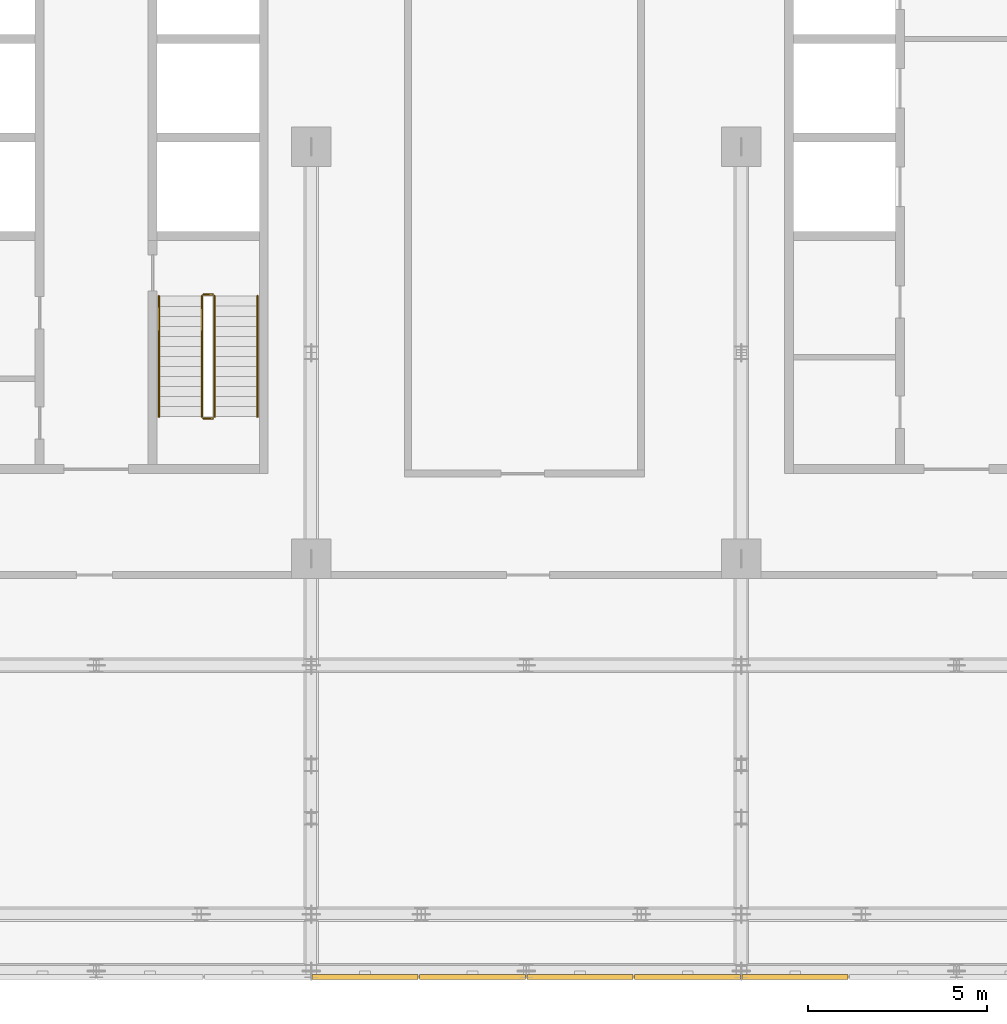
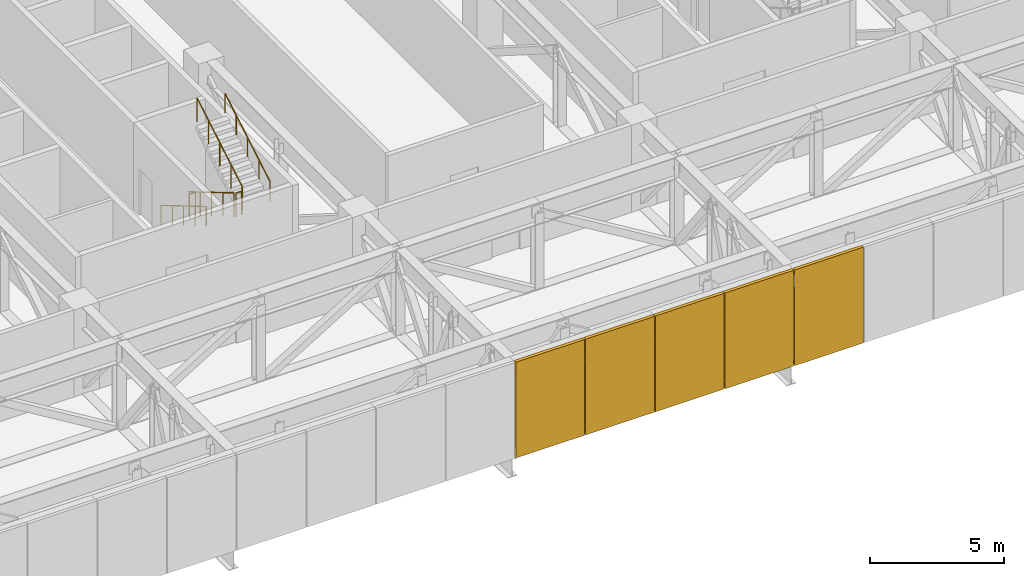
# One storey, part 24 of 28: 6 railings, 5 coverings.
"""IFC4 building model written with IfcOpenShell, lengths in metres."""

from ifc_helpers import new_model, si_unit, direction, frame, origin, origin_2d, place, context, subcontext, project, spatial, rectangle, circle, extrude, material, type_object, element, save


model = new_model("IFC4")

# Units and contexts
model_context = context("Model", 3, precision=1e-05, world=origin(), true_north=direction((0.0, 1.0)))
body_context = subcontext(model_context, "Body", "Model", "MODEL_VIEW")
ifc_project = project(units=[si_unit("LENGTHUNIT", "METRE"), si_unit("AREAUNIT", "SQUARE_METRE"), si_unit("VOLUMEUNIT", "CUBIC_METRE"), si_unit("PLANEANGLEUNIT", "RADIAN"), si_unit("MASSUNIT", "GRAM", prefix="KILO")], contexts=[model_context])

# Site, building, storey
site_placement = place(None, origin())
site = spatial("IfcSite", under=ifc_project, at=site_placement, CompositionType="ELEMENT")
building_placement = place(site_placement, origin())
building = spatial("IfcBuilding", under=site, at=building_placement, Name="Mahtab Terrace Research Tower", CompositionType="ELEMENT")
storey_placement = place(building_placement, frame((0.0, 0.0, 224.300048828125)))
storey = spatial("IfcBuildingStorey", under=building, at=storey_placement, Name="L54", CompositionType="ELEMENT", Elevation=224.300048828125)

# Coverings
ifc_material_1 = material(Name="Natural anodised aluminium", Category="aluminium")
covering_type = type_object("IfcCoveringType", Name="Plant storey louvre bay", PredefinedType="CLADDING", material=ifc_material_1)
for number, where, z_axis, x_axis, name in (
    (1, (7.5, -23.159912109375, -0.39990234375), (0.0, 0.0, 1.0), (1.0, 0.0, 0.0), "Louvre bay L54 69"),
    (2, (10.5, -23.159912109375, -0.39990234375), (0.0, 0.0, 1.0), (1.0, 0.0, 0.0), "Louvre bay L54 70"),
    (3, (13.5, -23.159912109375, -0.39990234375), (0.0, 0.0, 1.0), (1.0, 0.0, 0.0), "Louvre bay L54 71"),
    (4, (16.5, -23.159912109375, -0.39990234375), (0.0, 0.0, 1.0), (1.0, 0.0, 0.0), "Louvre bay L54 72"),
    (5, (19.5, -23.159912109375, -0.39990234375), (0.0, 0.0, 1.0), (1.0, 0.0, 0.0), "Louvre bay L54 73"),
):
    element("IfcCovering", number, at=place(storey_placement, frame(where, z_axis=z_axis, x_axis=x_axis)), inside=storey, type_object=covering_type, Name=name, PredefinedType="CLADDING", context=body_context, shape_type="SweptSolid", body=[
        extrude(rectangle(XDim=2.9599609375, YDim=0.139892578125, at=origin_2d()), origin(), (0.0, 0.0, 1.0), 4.360107421875),
    ])

# Railings
ifc_material_2 = material(Name="Stainless steel AISI 304", Category="steel")
railing_type_1 = type_object("IfcRailingType", Name="Stair guard 1100", PredefinedType="GUARDRAIL", material=ifc_material_2)
railing_1_placement = place(storey_placement, frame((2.949951171875, -4.175048828125, 0.165283203125)))
element("IfcRailing", 6, at=railing_1_placement, inside=storey, type_object=railing_type_1, Name="L54 ST2 stair guard 1", PredefinedType="GUARDRAIL", context=body_context, shape_type="SweptSolid", body=[
    extrude(circle(Radius=0.02392578125, at=origin_2d()), frame((0.0, 0.0, 1.076171875), z_axis=(0.0, -0.861011212953, 0.508585972249), x_axis=(1.0, 0.0, 0.0)), (0.0, 0.0, 1.0), 3.90234375),
    extrude(circle(Radius=0.02099609375, at=origin_2d()), origin(), (0.0, 0.0, 1.0), 1.052001953125),
    extrude(circle(Radius=0.02099609375, at=origin_2d()), frame((0.0, -0.83984375, 0.49609375)), (0.0, 0.0, 1.0), 1.052001953125),
    extrude(circle(Radius=0.02099609375, at=origin_2d()), frame((0.0, -1.679931640625, 0.9921875)), (0.0, 0.0, 1.0), 1.052001953125),
    extrude(circle(Radius=0.02099609375, at=origin_2d()), frame((0.0, -2.52001953125, 1.488525390625)), (0.0, 0.0, 1.0), 1.052001953125),
    extrude(circle(Radius=0.02099609375, at=origin_2d()), frame((0.0, -3.35986328125, 1.984619140625)), (0.0, 0.0, 1.0), 1.052001953125),
])
railing_2_placement = place(storey_placement, frame((3.0, -7.5849609375, 2.14990234375)))
element("IfcRailing", 7, at=railing_2_placement, inside=storey, type_object=railing_type_1, Name="L54 ST2 stair guard 2", PredefinedType="GUARDRAIL", context=body_context, shape_type="SweptSolid", body=[
    extrude(circle(Radius=0.02392578125, at=origin_2d()), frame((0.0, 0.0, 1.076171875), z_axis=(1.0, 0.0, 0.0), x_axis=(0.0, 1.0, 0.0)), (0.0, 0.0, 1.0), 0.25),
    extrude(circle(Radius=0.02099609375, at=origin_2d()), origin(), (0.0, 0.0, 1.0), 1.052001953125),
    extrude(circle(Radius=0.02099609375, at=origin_2d()), frame((0.25, 0.0, 0.0)), (0.0, 0.0, 1.0), 1.052001953125),
])
railing_3_placement = place(storey_placement, frame((3.300048828125, -7.534912109375, 2.3154296875)))
element("IfcRailing", 8, at=railing_3_placement, inside=storey, type_object=railing_type_1, Name="L54 ST2 stair guard 3", PredefinedType="GUARDRAIL", context=body_context, shape_type="SweptSolid", body=[
    extrude(circle(Radius=0.02392578125, at=origin_2d()), frame((0.0, 0.0, 1.076171875), z_axis=(0.0, 0.861011212953, 0.508585972249), x_axis=(-1.0, 0.0, 0.0)), (0.0, 0.0, 1.0), 3.90234375),
    extrude(circle(Radius=0.02099609375, at=origin_2d()), origin(), (0.0, 0.0, 1.0), 1.052001953125),
    extrude(circle(Radius=0.02099609375, at=origin_2d()), frame((0.0, 0.83984375, 0.49609375)), (0.0, 0.0, 1.0), 1.052001953125),
    extrude(circle(Radius=0.02099609375, at=origin_2d()), frame((0.0, 1.679931640625, 0.9921875)), (0.0, 0.0, 1.0), 1.052001953125),
    extrude(circle(Radius=0.02099609375, at=origin_2d()), frame((0.0, 2.52001953125, 1.488525390625)), (0.0, 0.0, 1.0), 1.052001953125),
    extrude(circle(Radius=0.02099609375, at=origin_2d()), frame((0.0, 3.35986328125, 1.984619140625)), (0.0, 0.0, 1.0), 1.052001953125),
])
railing_4_placement = place(storey_placement, frame((3.0, -4.125, 0.0)))
element("IfcRailing", 9, at=railing_4_placement, inside=storey, type_object=railing_type_1, Name="L54 ST2 stair guard 4", PredefinedType="GUARDRAIL", context=body_context, shape_type="SweptSolid", body=[
    extrude(circle(Radius=0.02392578125, at=origin_2d()), frame((0.0, 0.0, 1.076171875), z_axis=(1.0, 0.0, 0.0), x_axis=(0.0, 1.0, 0.0)), (0.0, 0.0, 1.0), 0.25),
    extrude(circle(Radius=0.02099609375, at=origin_2d()), origin(), (0.0, 0.0, 1.0), 1.052001953125),
    extrude(circle(Radius=0.02099609375, at=origin_2d()), frame((0.25, 0.0, 0.0)), (0.0, 0.0, 1.0), 1.052001953125),
])
railing_type_2 = type_object("IfcRailingType", Name="Stair handrail 900", PredefinedType="HANDRAIL", material=ifc_material_2)
railing_5_placement = place(storey_placement, frame((1.75, -4.175048828125, 0.165283203125)))
element("IfcRailing", 10, at=railing_5_placement, inside=storey, type_object=railing_type_2, Name="L54 ST2 stair handrail 1", PredefinedType="HANDRAIL", context=body_context, shape_type="SweptSolid", body=[
    extrude(circle(Radius=0.02392578125, at=origin_2d()), frame((0.0, 0.0, 0.8759765625), z_axis=(0.0, -0.861011212953, 0.508585972249), x_axis=(1.0, 0.0, 0.0)), (0.0, 0.0, 1.0), 3.90234375),
    extrude(circle(Radius=0.02099609375, at=origin_2d()), origin(), (0.0, 0.0, 1.0), 0.851806640625),
    extrude(circle(Radius=0.02099609375, at=origin_2d()), frame((0.0, -0.83984375, 0.49609375)), (0.0, 0.0, 1.0), 0.851806640625),
    extrude(circle(Radius=0.02099609375, at=origin_2d()), frame((0.0, -1.679931640625, 0.9921875)), (0.0, 0.0, 1.0), 0.851806640625),
    extrude(circle(Radius=0.02099609375, at=origin_2d()), frame((0.0, -2.52001953125, 1.488525390625)), (0.0, 0.0, 1.0), 0.851806640625),
    extrude(circle(Radius=0.02099609375, at=origin_2d()), frame((0.0, -3.35986328125, 1.984619140625)), (0.0, 0.0, 1.0), 0.851806640625),
])
railing_6_placement = place(storey_placement, frame((4.5, -7.534912109375, 2.3154296875)))
element("IfcRailing", 11, at=railing_6_placement, inside=storey, type_object=railing_type_2, Name="L54 ST2 stair handrail 2", PredefinedType="HANDRAIL", context=body_context, shape_type="SweptSolid", body=[
    extrude(circle(Radius=0.02392578125, at=origin_2d()), frame((0.0, 0.0, 0.8759765625), z_axis=(0.0, 0.861011212953, 0.508585972249), x_axis=(-1.0, 0.0, 0.0)), (0.0, 0.0, 1.0), 3.90234375),
    extrude(circle(Radius=0.02099609375, at=origin_2d()), origin(), (0.0, 0.0, 1.0), 0.851806640625),
    extrude(circle(Radius=0.02099609375, at=origin_2d()), frame((0.0, 0.83984375, 0.49609375)), (0.0, 0.0, 1.0), 0.851806640625),
    extrude(circle(Radius=0.02099609375, at=origin_2d()), frame((0.0, 1.679931640625, 0.9921875)), (0.0, 0.0, 1.0), 0.851806640625),
    extrude(circle(Radius=0.02099609375, at=origin_2d()), frame((0.0, 2.52001953125, 1.488525390625)), (0.0, 0.0, 1.0), 0.851806640625),
    extrude(circle(Radius=0.02099609375, at=origin_2d()), frame((0.0, 3.35986328125, 1.984619140625)), (0.0, 0.0, 1.0), 0.851806640625),
])

save(model, "model.ifc")
